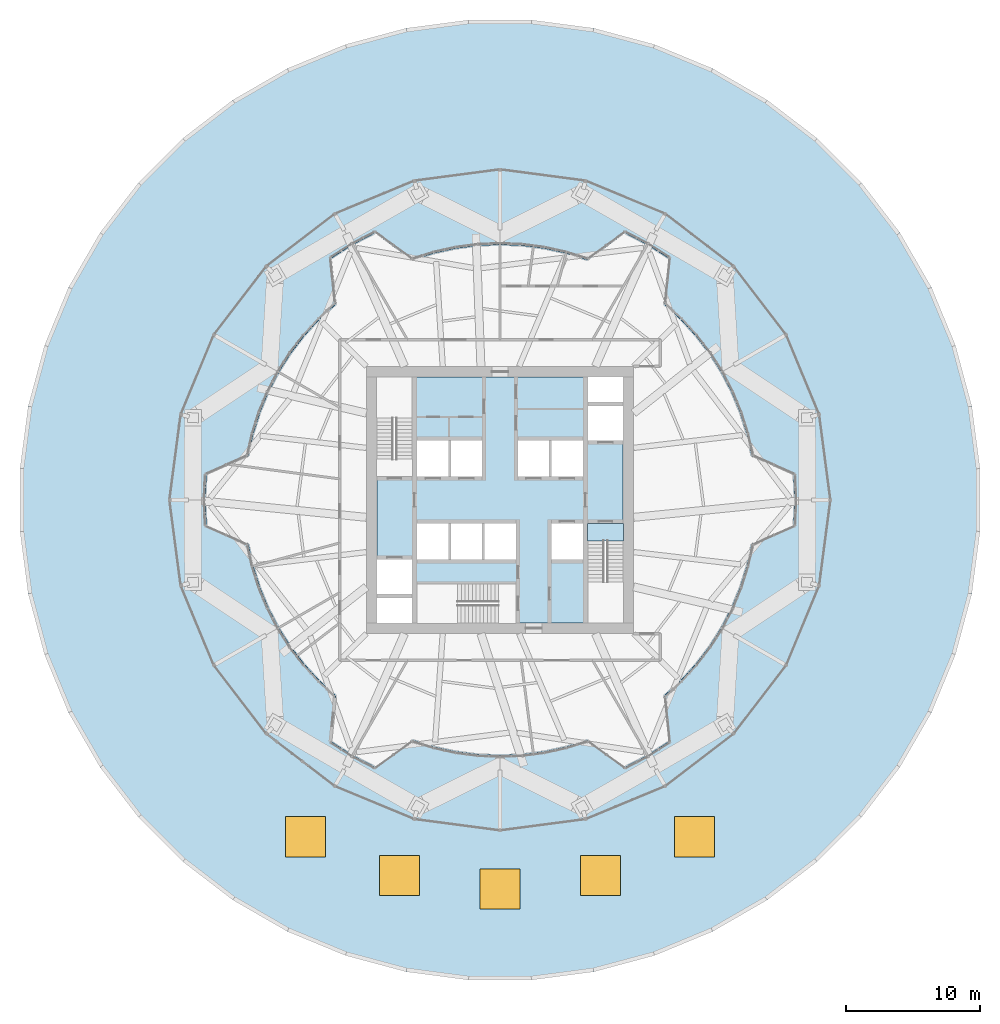
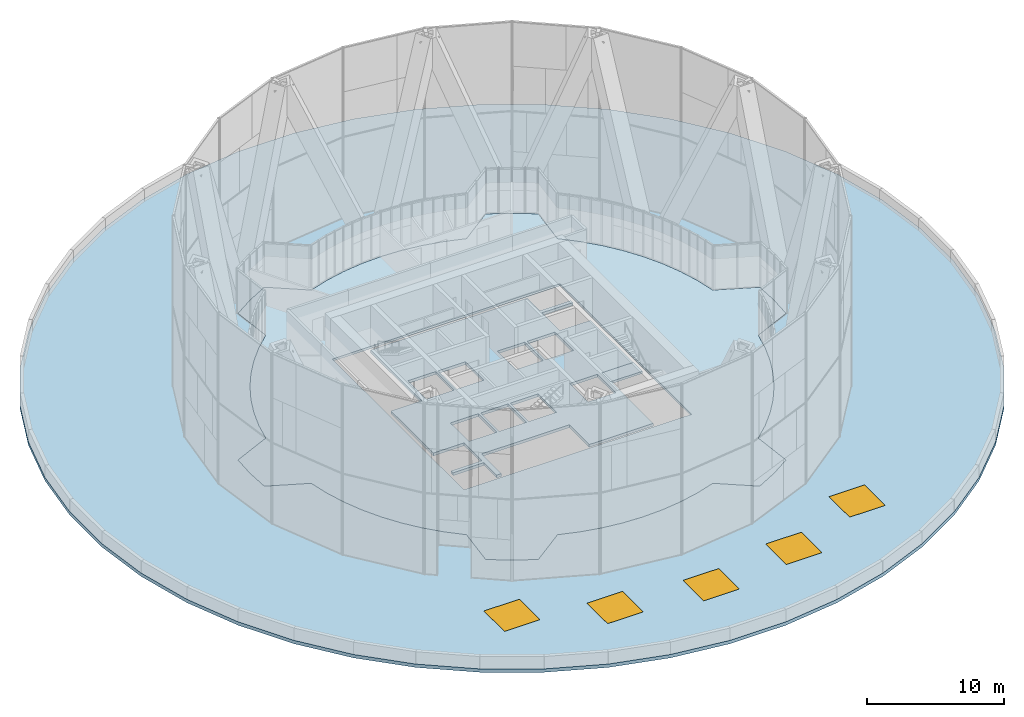
# One storey, part 20 of 27: 5 windows, 4 slabs, 5 openings.
"""IFC4 building model written with IfcOpenShell, lengths in metres."""

from ifc_helpers import new_model, si_unit, direction, frame, origin, origin_2d, place, context, subcontext, project, spatial, polyline, rectangle, outline, extrude, material, layer, layer_set, type_object, element, fill, save


model = new_model("IFC4")

# Units and contexts
model_context = context("Model", 3, precision=1e-05, world=origin(), true_north=direction((0.0, 1.0)))
body_context = subcontext(model_context, "Body", "Model", "MODEL_VIEW")
ifc_project = project(units=[si_unit("LENGTHUNIT", "METRE"), si_unit("AREAUNIT", "SQUARE_METRE"), si_unit("VOLUMEUNIT", "CUBIC_METRE"), si_unit("PLANEANGLEUNIT", "RADIAN"), si_unit("MASSUNIT", "GRAM", prefix="KILO")], contexts=[model_context])

# Site, building, storey
site_placement = place(None, origin())
site = spatial("IfcSite", under=ifc_project, at=site_placement, CompositionType="ELEMENT")
building_placement = place(site_placement, origin())
building = spatial("IfcBuilding", under=site, at=building_placement, Name="Golbaran Civic Tower", CompositionType="ELEMENT")
storey_placement = place(building_placement, frame((0.0, 0.0, 21.0)))
storey = spatial("IfcBuildingStorey", under=building, at=storey_placement, Name="L04", CompositionType="ELEMENT", Elevation=21.0)

# Slabs
ifc_material_1 = material(Name="Concrete LC30/33 lightweight on steel deck", Category="concrete")
ifc_layer_1 = layer(ifc_material_1, 0.199951171875, Name="Concrete LC30/33 lightweight on steel deck")
ifc_layer_set_1 = layer_set([ifc_layer_1], Name="Concrete LC30/33 lightweight on steel deck")
slab_type_1 = type_object("IfcSlabType", Name="COMPOSITE FLOOR SLAB 200", PredefinedType="FLOOR", material=ifc_layer_set_1)
slab_1_placement = place(storey_placement, frame((0.0, 0.0, -0.199951171875)))
element("IfcSlab", 1, at=slab_1_placement, inside=storey, type_object=slab_type_1, Name="Floor slab L04", PredefinedType="FLOOR", context=body_context, shape_type="SweptSolid", body=[
    extrude(outline(polyline([(18.843017578125, -3.322509765625), (18.481689453125, -4.9521484375), (17.979736328125, -6.544189453125), (17.341064453125, -8.086181640625), (16.5703125, -9.56689453125), (15.67333984375, -10.974609375), (14.6572265625, -12.298828125), (13.529541015625, -13.529541015625), (12.298828125, -14.6572265625), (12.663818359375, -18.085693359375), (11.039306640625, -19.12060546875), (9.330810546875, -20.010009765625), (6.544189453125, -17.979736328125), (4.9521484375, -18.481689453125), (3.322509765625, -18.843017578125), (1.667724609375, -19.060791015625), (0.0, -19.1337890625), (-1.667724609375, -19.060791015625), (-3.322509765625, -18.843017578125), (-4.9521484375, -18.481689453125), (-6.544189453125, -17.979736328125), (-9.330810546875, -20.010009765625), (-11.039306640625, -19.12060546875), (-12.663818359375, -18.085693359375), (-12.298828125, -14.6572265625), (-13.529541015625, -13.529541015625), (-14.6572265625, -12.298828125), (-15.67333984375, -10.974609375), (-16.5703125, -9.56689453125), (-17.341064453125, -8.086181640625), (-17.979736328125, -6.544189453125), (-18.481689453125, -4.9521484375), (-18.843017578125, -3.322509765625), (-21.99462890625, -1.92431640625), (-22.07861328125, 0.0), (-21.99462890625, 1.92431640625), (-18.843017578125, 3.322509765625), (-18.481689453125, 4.9521484375), (-17.979736328125, 6.544189453125), (-17.341064453125, 8.086181640625), (-16.5703125, 9.56689453125), (-15.67333984375, 10.974609375), (-14.6572265625, 12.298828125), (-13.529541015625, 13.529541015625), (-12.298828125, 14.6572265625), (-12.663818359375, 18.085693359375), (-11.039306640625, 19.12060546875), (-9.330810546875, 20.010009765625), (-6.544189453125, 17.979736328125), (-4.9521484375, 18.481689453125), (-3.322509765625, 18.843017578125), (-1.667724609375, 19.060791015625), (0.0, 19.1337890625), (1.667724609375, 19.060791015625), (3.322509765625, 18.843017578125), (4.9521484375, 18.481689453125), (6.544189453125, 17.979736328125), (9.330810546875, 20.010009765625), (11.039306640625, 19.12060546875), (12.663818359375, 18.085693359375), (12.298828125, 14.6572265625), (13.529541015625, 13.529541015625), (14.6572265625, 12.298828125), (15.67333984375, 10.974609375), (16.5703125, 9.56689453125), (17.341064453125, 8.086181640625), (17.979736328125, 6.544189453125), (18.481689453125, 4.9521484375), (18.843017578125, 3.322509765625), (21.99462890625, 1.92431640625), (22.07861328125, 0.0), (21.99462890625, -1.92431640625), (18.843017578125, -3.322509765625)]), holes=[polyline([(-9.60009765625, 9.60009765625), (-9.60009765625, -9.60009765625), (9.60009765625, -9.60009765625), (9.60009765625, 9.60009765625), (-9.60009765625, 9.60009765625)])]), origin(), (0.0, 0.0, 1.0), 0.199951171875),
])
ifc_material_2 = material(Name="Concrete C35/45", Category="concrete")
ifc_layer_2 = layer(ifc_material_2, 0.25, Name="Concrete C35/45")
ifc_layer_set_2 = layer_set([ifc_layer_2], Name="Concrete C35/45")
slab_type_2 = type_object("IfcSlabType", Name="CORE FLOOR SLAB 250", PredefinedType="FLOOR", material=ifc_layer_set_2)
slab_2_placement = place(storey_placement, frame((0.0, 0.0, -0.25)))
element("IfcSlab", 2, at=slab_2_placement, inside=storey, type_object=slab_type_2, Name="Core floor slab L04", PredefinedType="FLOOR", context=body_context, shape_type="SweptSolid", body=[
    extrude(outline(polyline([(6.60009765625, -1.75), (6.60009765625, -9.199951171875), (1.199951171875, -9.199951171875), (1.199951171875, -6.300048828125), (-6.199951171875, -6.300048828125), (-6.199951171875, -9.199951171875), (-6.60009765625, -9.199951171875), (-6.60009765625, -7.35009765625), (-9.199951171875, -7.35009765625), (-9.199951171875, -7.050048828125), (-6.60009765625, -7.050048828125), (-6.60009765625, -4.449951171875), (-9.199951171875, -4.449951171875), (-9.199951171875, 1.75), (-6.60009765625, 1.75), (-6.60009765625, 9.199951171875), (6.60009765625, 9.199951171875), (6.60009765625, 7.35009765625), (9.199951171875, 7.35009765625), (9.199951171875, 7.050048828125), (6.60009765625, 7.050048828125), (6.60009765625, 4.449951171875), (9.199951171875, 4.449951171875), (9.199951171875, -1.75), (6.60009765625, -1.75)]), holes=[polyline([(6.199951171875, -1.75), (3.85009765625, -1.75), (3.85009765625, -4.449951171875), (6.199951171875, -4.449951171875), (6.199951171875, -1.75)]), polyline([(6.199951171875, 4.449951171875), (3.85009765625, 4.449951171875), (3.85009765625, 1.75), (6.199951171875, 1.75), (6.199951171875, 4.449951171875)]), polyline([(3.64990234375, 4.449951171875), (1.35009765625, 4.449951171875), (1.35009765625, 1.75), (3.64990234375, 1.75), (3.64990234375, 4.449951171875)]), polyline([(1.199951171875, -1.75), (-1.14990234375, -1.75), (-1.14990234375, -4.449951171875), (1.199951171875, -4.449951171875), (1.199951171875, -1.75)]), polyline([(-1.35009765625, 4.449951171875), (-3.64990234375, 4.449951171875), (-3.64990234375, 1.75), (-1.35009765625, 1.75), (-1.35009765625, 4.449951171875)]), polyline([(-1.35009765625, -1.75), (-3.64990234375, -1.75), (-3.64990234375, -4.449951171875), (-1.35009765625, -4.449951171875), (-1.35009765625, -1.75)]), polyline([(-3.85009765625, -1.75), (-6.199951171875, -1.75), (-6.199951171875, -4.449951171875), (-3.85009765625, -4.449951171875), (-3.85009765625, -1.75)]), polyline([(-3.85009765625, 4.449951171875), (-6.199951171875, 4.449951171875), (-6.199951171875, 1.75), (-3.85009765625, 1.75), (-3.85009765625, 4.449951171875)])]), origin(), (0.0, 0.0, 1.0), 0.25),
])

# Slab, openings, windows
ifc_layer_3 = layer(ifc_material_2, 0.300048828125, Name="Concrete C35/45")
ifc_layer_set_3 = layer_set([ifc_layer_3], Name="Concrete C35/45")
slab_type_3 = type_object("IfcSlabType", Name="PODIUM ROOF SLAB 300", PredefinedType="ROOF", material=ifc_layer_set_3)
slab_3_placement = place(storey_placement, frame((0.0, 0.0, -0.300048828125)))
slab_3 = element("IfcSlab", 3, at=slab_3_placement, inside=storey, type_object=slab_type_3, Name="Podium maintenance roof", PredefinedType="ROOF", context=body_context, shape_type="SweptSolid", body=[
    extrude(outline(polyline([(35.308349609375, -7.023193359375), (34.089599609375, -11.57177734375), (32.287353515625, -15.92236328125), (29.932861328125, -20.00048828125), (27.066162109375, -23.736328125), (23.736328125, -27.066162109375), (20.00048828125, -29.932861328125), (15.92236328125, -32.287353515625), (11.57177734375, -34.089599609375), (7.023193359375, -35.308349609375), (2.3544921875, -35.9228515625), (-2.3544921875, -35.9228515625), (-7.023193359375, -35.308349609375), (-11.57177734375, -34.089599609375), (-15.92236328125, -32.287353515625), (-20.00048828125, -29.932861328125), (-23.736328125, -27.066162109375), (-27.066162109375, -23.736328125), (-29.932861328125, -20.00048828125), (-32.287353515625, -15.92236328125), (-34.089599609375, -11.57177734375), (-35.308349609375, -7.023193359375), (-35.9228515625, -2.3544921875), (-35.9228515625, 2.3544921875), (-35.308349609375, 7.023193359375), (-34.089599609375, 11.57177734375), (-32.287353515625, 15.92236328125), (-29.932861328125, 20.00048828125), (-27.066162109375, 23.736328125), (-23.736328125, 27.066162109375), (-20.00048828125, 29.932861328125), (-15.92236328125, 32.287353515625), (-11.57177734375, 34.089599609375), (-7.023193359375, 35.308349609375), (-2.3544921875, 35.9228515625), (2.3544921875, 35.9228515625), (7.023193359375, 35.308349609375), (11.57177734375, 34.089599609375), (15.92236328125, 32.287353515625), (20.00048828125, 29.932861328125), (23.736328125, 27.066162109375), (27.066162109375, 23.736328125), (29.932861328125, 20.00048828125), (32.287353515625, 15.92236328125), (34.089599609375, 11.57177734375), (35.308349609375, 7.023193359375), (35.9228515625, 2.3544921875), (35.9228515625, -2.3544921875), (35.308349609375, -7.023193359375)]), holes=[polyline([(18.843017578125, 3.322509765625), (18.481689453125, 4.9521484375), (17.979736328125, 6.544189453125), (17.341064453125, 8.086181640625), (16.5703125, 9.56689453125), (15.67333984375, 10.974609375), (14.6572265625, 12.298828125), (13.529541015625, 13.529541015625), (12.298828125, 14.6572265625), (12.663818359375, 18.085693359375), (11.039306640625, 19.12060546875), (9.330810546875, 20.010009765625), (6.544189453125, 17.979736328125), (4.9521484375, 18.481689453125), (3.322509765625, 18.843017578125), (1.667724609375, 19.060791015625), (0.0, 19.1337890625), (-1.667724609375, 19.060791015625), (-3.322509765625, 18.843017578125), (-4.9521484375, 18.481689453125), (-6.544189453125, 17.979736328125), (-9.330810546875, 20.010009765625), (-11.039306640625, 19.12060546875), (-12.663818359375, 18.085693359375), (-12.298828125, 14.6572265625), (-13.529541015625, 13.529541015625), (-14.6572265625, 12.298828125), (-15.67333984375, 10.974609375), (-16.5703125, 9.56689453125), (-17.341064453125, 8.086181640625), (-17.979736328125, 6.544189453125), (-18.481689453125, 4.9521484375), (-18.843017578125, 3.322509765625), (-21.99462890625, 1.92431640625), (-22.07861328125, 0.0), (-21.99462890625, -1.92431640625), (-18.843017578125, -3.322509765625), (-18.481689453125, -4.9521484375), (-17.979736328125, -6.544189453125), (-17.341064453125, -8.086181640625), (-16.5703125, -9.56689453125), (-15.67333984375, -10.974609375), (-14.6572265625, -12.298828125), (-13.529541015625, -13.529541015625), (-12.298828125, -14.6572265625), (-12.663818359375, -18.085693359375), (-11.039306640625, -19.12060546875), (-9.330810546875, -20.010009765625), (-6.544189453125, -17.979736328125), (-4.9521484375, -18.481689453125), (-3.322509765625, -18.843017578125), (-1.667724609375, -19.060791015625), (0.0, -19.1337890625), (1.667724609375, -19.060791015625), (3.322509765625, -18.843017578125), (4.9521484375, -18.481689453125), (6.544189453125, -17.979736328125), (9.330810546875, -20.010009765625), (11.039306640625, -19.12060546875), (12.663818359375, -18.085693359375), (12.298828125, -14.6572265625), (13.529541015625, -13.529541015625), (14.6572265625, -12.298828125), (15.67333984375, -10.974609375), (16.5703125, -9.56689453125), (17.341064453125, -8.086181640625), (17.979736328125, -6.544189453125), (18.481689453125, -4.9521484375), (18.843017578125, -3.322509765625), (21.99462890625, -1.92431640625), (22.07861328125, 0.0), (21.99462890625, 1.92431640625), (18.843017578125, 3.322509765625)])]), origin(), (0.0, 0.0, 1.0), 0.300048828125),
])
opening_1_placement = place(slab_3_placement, frame((-14.550048828125, -25.201416015625, 0.0)))
opening_1 = element("IfcOpeningElement", 4, at=opening_1_placement, cuts=slab_3, Name="Opening L04.W01", PredefinedType="OPENING", context=body_context, shape_type="SweptSolid", body=[
    extrude(rectangle(XDim=3.0, YDim=3.0, at=origin_2d()), origin(), (0.0, 0.0, 1.0), 0.300048828125),
])
opening_2_placement = place(slab_3_placement, frame((-7.53173828125, -28.1083984375, 0.0)))
opening_2 = element("IfcOpeningElement", 5, at=opening_2_placement, cuts=slab_3, Name="Opening L04.W02", PredefinedType="OPENING", context=body_context, shape_type="SweptSolid", body=[
    extrude(rectangle(XDim=3.0, YDim=3.0, at=origin_2d()), origin(), (0.0, 0.0, 1.0), 0.300048828125),
])
opening_3_placement = place(slab_3_placement, frame((0.0, -29.10009765625, 0.0)))
opening_3 = element("IfcOpeningElement", 6, at=opening_3_placement, cuts=slab_3, Name="Opening L04.W03", PredefinedType="OPENING", context=body_context, shape_type="SweptSolid", body=[
    extrude(rectangle(XDim=3.0, YDim=3.0, at=origin_2d()), origin(), (0.0, 0.0, 1.0), 0.300048828125),
])
opening_4_placement = place(slab_3_placement, frame((7.53173828125, -28.1083984375, 0.0)))
opening_4 = element("IfcOpeningElement", 7, at=opening_4_placement, cuts=slab_3, Name="Opening L04.W04", PredefinedType="OPENING", context=body_context, shape_type="SweptSolid", body=[
    extrude(rectangle(XDim=3.0, YDim=3.0, at=origin_2d()), origin(), (0.0, 0.0, 1.0), 0.300048828125),
])
opening_5_placement = place(slab_3_placement, frame((14.550048828125, -25.201416015625, 0.0)))
opening_5 = element("IfcOpeningElement", 8, at=opening_5_placement, cuts=slab_3, Name="Opening L04.W05", PredefinedType="OPENING", context=body_context, shape_type="SweptSolid", body=[
    extrude(rectangle(XDim=3.0, YDim=3.0, at=origin_2d()), origin(), (0.0, 0.0, 1.0), 0.300048828125),
])
ifc_material_3 = material(Name="Aluminium frame, laminated glass", Category="aluminium")
window_type = type_object("IfcWindowType", Name="ATRIUM SKYLIGHT 3000x3000", PartitioningType="SINGLE_PANEL", PredefinedType="SKYLIGHT", material=ifc_material_3)
window_1_placement = place(opening_1_placement, frame((0.0, 0.0, 0.25)))
window_1 = element("IfcWindow", 9, at=window_1_placement, inside=storey, type_object=window_type, Name="Atrium skylight 1", OverallHeight=3.0, OverallWidth=3.0, PartitioningType="SINGLE_PANEL", PredefinedType="SKYLIGHT", context=body_context, shape_type="SweptSolid", body=[
    extrude(rectangle(XDim=3.0, YDim=3.0, at=origin_2d()), origin(), (0.0, 0.0, 1.0), 0.050048828125),
])
fill(opening_1, window_1)
window_2_placement = place(opening_2_placement, frame((0.0, 0.0, 0.25)))
window_2 = element("IfcWindow", 10, at=window_2_placement, inside=storey, type_object=window_type, Name="Atrium skylight 2", OverallHeight=3.0, OverallWidth=3.0, PartitioningType="SINGLE_PANEL", PredefinedType="SKYLIGHT", context=body_context, shape_type="SweptSolid", body=[
    extrude(rectangle(XDim=3.0, YDim=3.0, at=origin_2d()), origin(), (0.0, 0.0, 1.0), 0.050048828125),
])
fill(opening_2, window_2)
window_3_placement = place(opening_3_placement, frame((0.0, 0.0, 0.25)))
window_3 = element("IfcWindow", 11, at=window_3_placement, inside=storey, type_object=window_type, Name="Atrium skylight 3", OverallHeight=3.0, OverallWidth=3.0, PartitioningType="SINGLE_PANEL", PredefinedType="SKYLIGHT", context=body_context, shape_type="SweptSolid", body=[
    extrude(rectangle(XDim=3.0, YDim=3.0, at=origin_2d()), origin(), (0.0, 0.0, 1.0), 0.050048828125),
])
fill(opening_3, window_3)
window_4_placement = place(opening_4_placement, frame((0.0, 0.0, 0.25)))
window_4 = element("IfcWindow", 12, at=window_4_placement, inside=storey, type_object=window_type, Name="Atrium skylight 4", OverallHeight=3.0, OverallWidth=3.0, PartitioningType="SINGLE_PANEL", PredefinedType="SKYLIGHT", context=body_context, shape_type="SweptSolid", body=[
    extrude(rectangle(XDim=3.0, YDim=3.0, at=origin_2d()), origin(), (0.0, 0.0, 1.0), 0.050048828125),
])
fill(opening_4, window_4)
window_5_placement = place(opening_5_placement, frame((0.0, 0.0, 0.25)))
window_5 = element("IfcWindow", 13, at=window_5_placement, inside=storey, type_object=window_type, Name="Atrium skylight 5", OverallHeight=3.0, OverallWidth=3.0, PartitioningType="SINGLE_PANEL", PredefinedType="SKYLIGHT", context=body_context, shape_type="SweptSolid", body=[
    extrude(rectangle(XDim=3.0, YDim=3.0, at=origin_2d()), origin(), (0.0, 0.0, 1.0), 0.050048828125),
])
fill(opening_5, window_5)

# Slab
ifc_layer_4 = layer(ifc_material_2, 0.199951171875, Name="Concrete C35/45")
ifc_layer_set_4 = layer_set([ifc_layer_4], Name="Concrete C35/45")
slab_type_4 = type_object("IfcSlabType", Name="STAIR LANDING 200", PredefinedType="LANDING", material=ifc_layer_set_4)
slab_4_placement = place(storey_placement, frame((0.0, 0.0, -0.199951171875)))
element("IfcSlab", 14, at=slab_4_placement, inside=storey, type_object=slab_type_4, Name="Stair S2 floor landing L04", PredefinedType="LANDING", context=body_context, shape_type="SweptSolid", body=[
    extrude(outline(polyline([(9.25, -1.75), (9.25, -3.054931640625), (6.550048828125, -3.054931640625), (6.550048828125, -1.75), (9.25, -1.75)])), origin(), (0.0, 0.0, 1.0), 0.199951171875),
])

save(model, "model.ifc")
